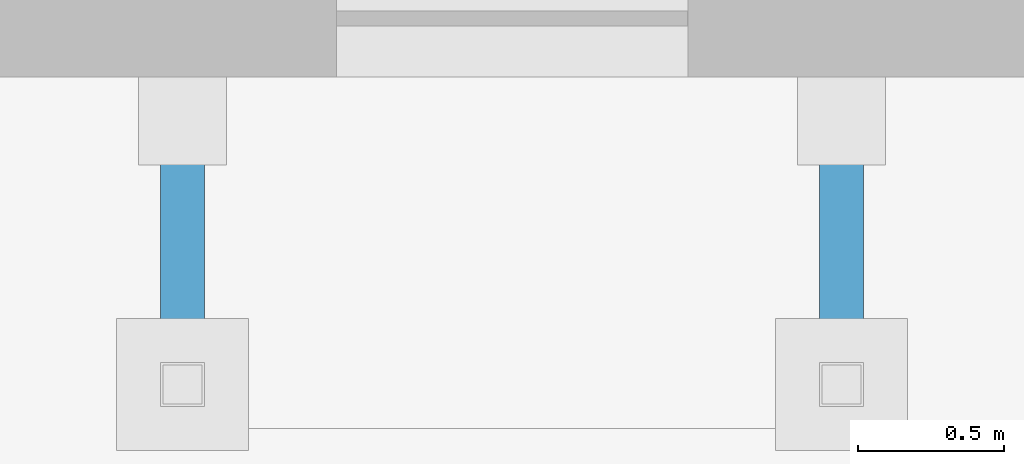
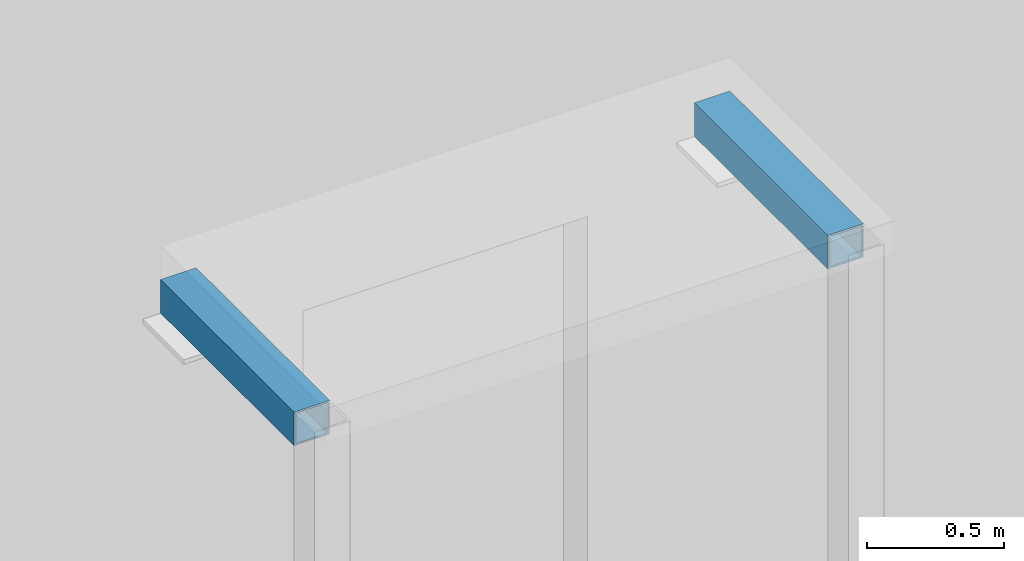
# One storey, part 10 of 45: 2 members.
"""IFC4 building model written with IfcOpenShell, lengths in metres."""

from ifc_helpers import new_model, si_unit, direction, frame, origin, origin_2d, place, context, subcontext, project, spatial, hollow_rectangle, extrude, material, material_profile, profile_set, type_object, element, save


model = new_model("IFC4")

# Units and contexts
model_context = context("Model", 3, precision=1e-05, world=origin(), true_north=direction((0.0, 1.0)))
body_context = subcontext(model_context, "Body", "Model", "MODEL_VIEW")
ifc_project = project(units=[si_unit("LENGTHUNIT", "METRE"), si_unit("AREAUNIT", "SQUARE_METRE"), si_unit("VOLUMEUNIT", "CUBIC_METRE"), si_unit("PLANEANGLEUNIT", "RADIAN"), si_unit("MASSUNIT", "GRAM", prefix="KILO")], contexts=[model_context])

# Site, building, storey
site_placement = place(None, origin())
site = spatial("IfcSite", under=ifc_project, at=site_placement, CompositionType="ELEMENT")
building_placement = place(site_placement, origin())
building = spatial("IfcBuilding", under=site, at=building_placement, Name="Nzadi Deep Aquarium and Research Tower", CompositionType="ELEMENT")
storey_placement = place(building_placement, origin())
storey = spatial("IfcBuildingStorey", under=building, at=storey_placement, Name="G", CompositionType="ELEMENT", Elevation=0.0)

# Members
ifc_material = material(Name="Structural steel S355", Category="steel")
ifc_material_profile = material_profile(ifc_material, hollow_rectangle(XDim=0.14990234375, YDim=0.14990234375, WallThickness=0.008056640625, at=origin_2d()))
ifc_profile_set = profile_set([ifc_material_profile], Name="Structural steel S355")
member_type = type_object("IfcMemberType", Name="RHS 150x150x8", PredefinedType="RAFTER", material=ifc_profile_set)
for number, where, z_axis, x_axis, name in (
    (1, (42.074951171875, -0.199951171875, 2.47509765625), (0.0, -1.0, 0.0), (1.0, 0.0, 0.0), "Canopy rafter"),
    (2, (44.324951171875, -0.199951171875, 2.47509765625), (0.0, -1.0, 0.0), (1.0, 0.0, 0.0), "Canopy rafter"),
):
    element("IfcMember", number, at=place(storey_placement, frame(where, z_axis=z_axis, x_axis=x_axis)), inside=storey, type_object=member_type, Name=name, PredefinedType="RAFTER", context=body_context, shape_type="SweptSolid", body=[
        extrude(hollow_rectangle(XDim=0.14990234375, YDim=0.14990234375, WallThickness=0.008056640625, at=origin_2d()), origin(), (0.0, 0.0, 1.0), 0.97509765625),
    ])

save(model, "model.ifc")
